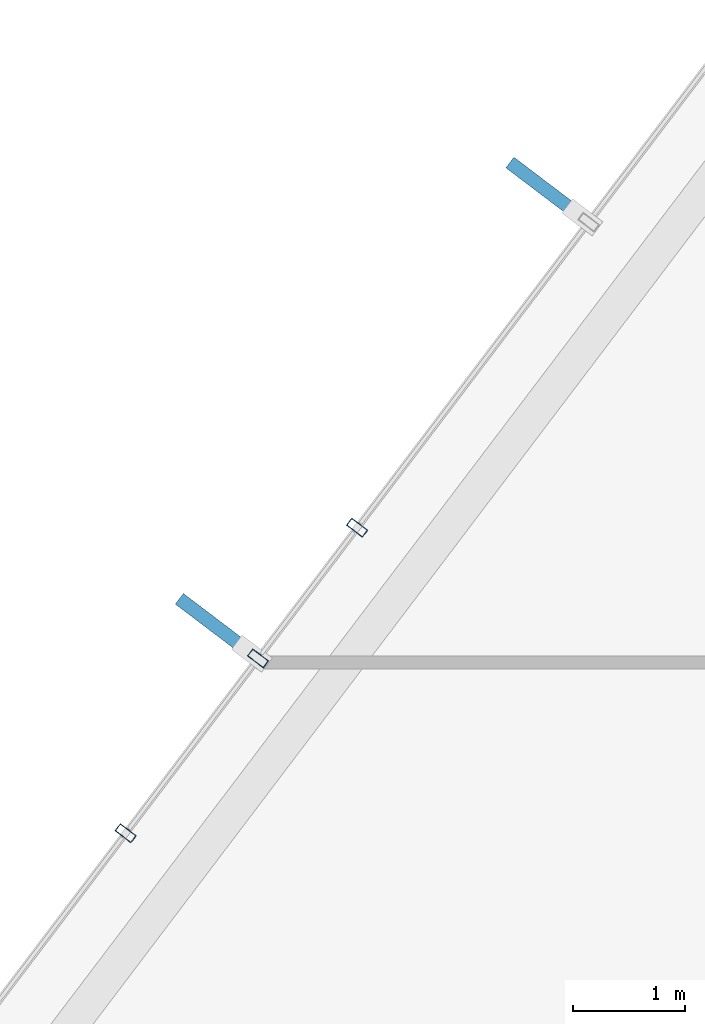
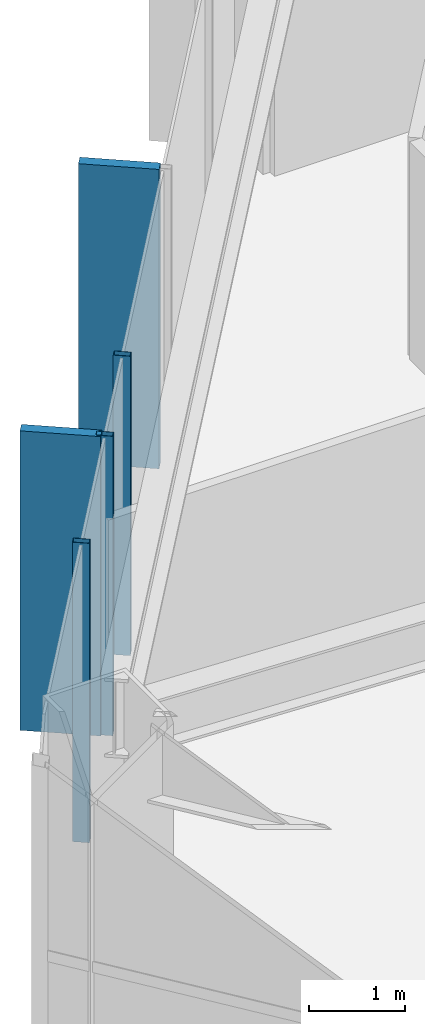
# One storey, part 9 of 26: 5 members, 1 element without a shape of its own.
"""IFC4 building model written with IfcOpenShell, lengths in metres."""

from ifc_helpers import new_model, si_unit, direction, frame, origin, origin_2d, place, context, subcontext, project, spatial, rectangle, hollow_rectangle, extrude, material, layer, layer_set, material_profile, profile_set, type_object, element, aggregate, save


model = new_model("IFC4")

# Units and contexts
model_context = context("Model", 3, precision=1e-05, world=origin(), true_north=direction((0.0, 1.0)))
body_context = subcontext(model_context, "Body", "Model", "MODEL_VIEW")
ifc_project = project(units=[si_unit("LENGTHUNIT", "METRE"), si_unit("AREAUNIT", "SQUARE_METRE"), si_unit("VOLUMEUNIT", "CUBIC_METRE"), si_unit("PLANEANGLEUNIT", "RADIAN"), si_unit("MASSUNIT", "GRAM", prefix="KILO")], contexts=[model_context])

# Site, building, storey
site_placement = place(None, origin())
site = spatial("IfcSite", under=ifc_project, at=site_placement, CompositionType="ELEMENT")
building_placement = place(site_placement, origin())
building = spatial("IfcBuilding", under=site, at=building_placement, Name="Zarrinselat Tower", CompositionType="ELEMENT")
storey_placement = place(building_placement, frame((0.0, 0.0, 31.6201171875)))
storey = spatial("IfcBuildingStorey", under=building, at=storey_placement, Name="L07", CompositionType="ELEMENT", Elevation=31.6201171875)

# Curtain wall, members
ifc_material_1 = material(Name="Extruded Aluminium Alloy EN AW-6063 T6", Category="aluminium")
ifc_layer = layer(ifc_material_1, 0.18505859375)
ifc_layer_set = layer_set([ifc_layer], Name="Extruded Aluminium Alloy EN AW-6063 T6")
curtain_wall_type = type_object("IfcCurtainWallType", Name="CWS-OFF", PredefinedType="NOTDEFINED", material=ifc_layer_set)
curtain_wall_placement = place(storey_placement, origin())
curtain_wall = element("IfcCurtainWall", 1, at=curtain_wall_placement, inside=storey, type_object=curtain_wall_type, Name="L07 Unitised Curtain Wall CW-L07-E02", PredefinedType="NOTDEFINED")
ifc_material_2 = material(Name="Extruded Aluminium Alloy EN AW-6063 T6", Category="aluminium")
ifc_material_profile_1 = material_profile(ifc_material_2, hollow_rectangle(XDim=0.080078125, YDim=0.179931640625, WallThickness=0.0048828125, at=origin_2d()), Name="RHS 180x80x5")
ifc_profile_set_1 = profile_set([ifc_material_profile_1], Name="Extruded Aluminium Alloy EN AW-6063 T6")
member_type_1 = type_object("IfcMemberType", Name="MEM-CW-MUL", PredefinedType="MULLION", material=ifc_profile_set_1)
member_1_placement = place(storey_placement, frame((20.1015625, 39.2080078125, 0.0), z_axis=(0.0, 0.0, 1.0), x_axis=(-0.603858715485, -0.797091369752, 0.0)))
member_1 = element("IfcMember", 2, at=member_1_placement, type_object=member_type_1, Name="CW-L07-E02 Mullion 6", PredefinedType="MULLION", context=body_context, shape_type="SweptSolid", body=[
    extrude(hollow_rectangle(XDim=0.080078125, YDim=0.179931640625, WallThickness=0.0048828125, at=origin_2d()), origin(), (0.0, 0.0, 1.0), 3.81982421875),
])
member_2_placement = place(storey_placement, frame((19.2138671875, 38.0361328125, 0.0), z_axis=(0.0, 0.0, 1.0), x_axis=(-0.603858715485, -0.797091369752, 0.0)))
member_2 = element("IfcMember", 3, at=member_2_placement, type_object=member_type_1, Name="CW-L07-E02 Mullion 7", PredefinedType="MULLION", context=body_context, shape_type="SweptSolid", body=[
    extrude(hollow_rectangle(XDim=0.080078125, YDim=0.179931640625, WallThickness=0.0048828125, at=origin_2d()), origin(), (0.0, 0.0, 1.0), 3.81982421875),
])
member_3_placement = place(storey_placement, frame((18.027099609375, 36.4697265625, 0.0), z_axis=(0.0, 0.0, 1.0), x_axis=(-0.603858715485, -0.797091369752, 0.0)))
member_3 = element("IfcMember", 4, at=member_3_placement, type_object=member_type_1, Name="CW-L07-E02 Mullion 8", PredefinedType="MULLION", context=body_context, shape_type="SweptSolid", body=[
    extrude(hollow_rectangle(XDim=0.080078125, YDim=0.179931640625, WallThickness=0.0048828125, at=origin_2d()), origin(), (0.0, 0.0, 1.0), 3.81982421875),
])
ifc_material_3 = material(Name="Honed Cream Travertine Stone", Category="masonry")
ifc_material_profile_2 = material_profile(ifc_material_3, rectangle(XDim=0.1201171875, YDim=0.85009765625, at=origin_2d()), Name="FIN 850x120")
ifc_profile_set_2 = profile_set([ifc_material_profile_2], Name="Honed Cream Travertine Stone")
member_type_2 = type_object("IfcMemberType", Name="MEM-STONE-FIN", PredefinedType="USERDEFINED", material=ifc_profile_set_2)
member_4_placement = place(storey_placement, frame((21.809326171875, 42.22412109375, 0.0), z_axis=(0.0, 0.0, 1.0), x_axis=(0.603858715485, 0.797091369752, 0.0)))
member_4 = element("IfcMember", 5, at=member_4_placement, type_object=member_type_2, Name="L07 Stone Shading Fin CW-L07-E02-05", ObjectType="FIN", PredefinedType="USERDEFINED", context=body_context, shape_type="SweptSolid", body=[
    extrude(rectangle(XDim=0.1201171875, YDim=0.85009765625, at=origin_2d()), origin(), (0.0, 0.0, 1.0), 3.81982421875),
])
member_5_placement = place(storey_placement, frame((18.84716796875, 38.31396484375, 0.0), z_axis=(0.0, 0.0, 1.0), x_axis=(0.603858715485, 0.797091369752, 0.0)))
member_5 = element("IfcMember", 6, at=member_5_placement, type_object=member_type_2, Name="L07 Stone Shading Fin CW-L07-E02-07", ObjectType="FIN", PredefinedType="USERDEFINED", context=body_context, shape_type="SweptSolid", body=[
    extrude(rectangle(XDim=0.1201171875, YDim=0.85009765625, at=origin_2d()), origin(), (0.0, 0.0, 1.0), 3.81982421875),
])
aggregate(curtain_wall, [member_4, member_1, member_2, member_5, member_3])

save(model, "model.ifc")
